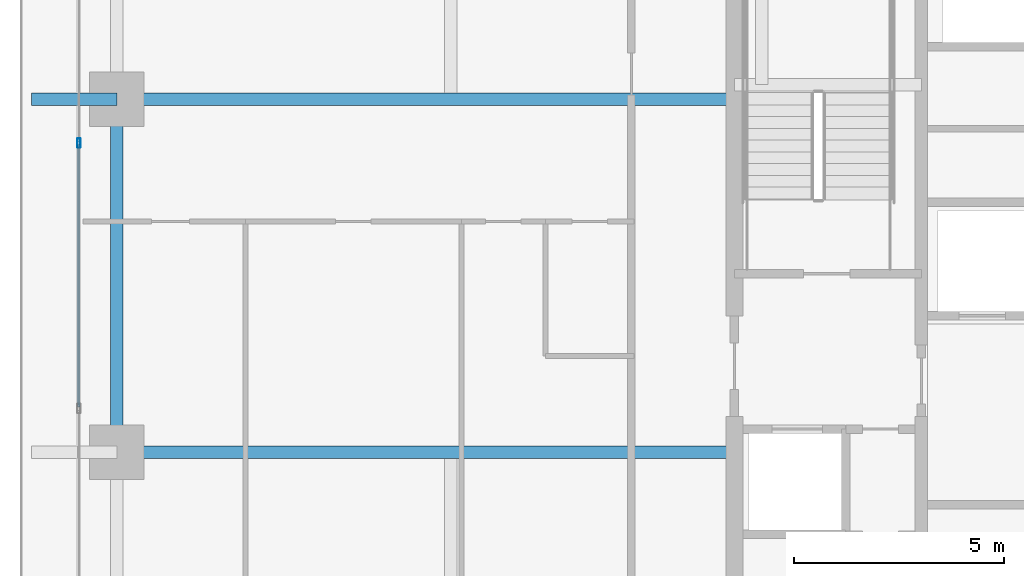
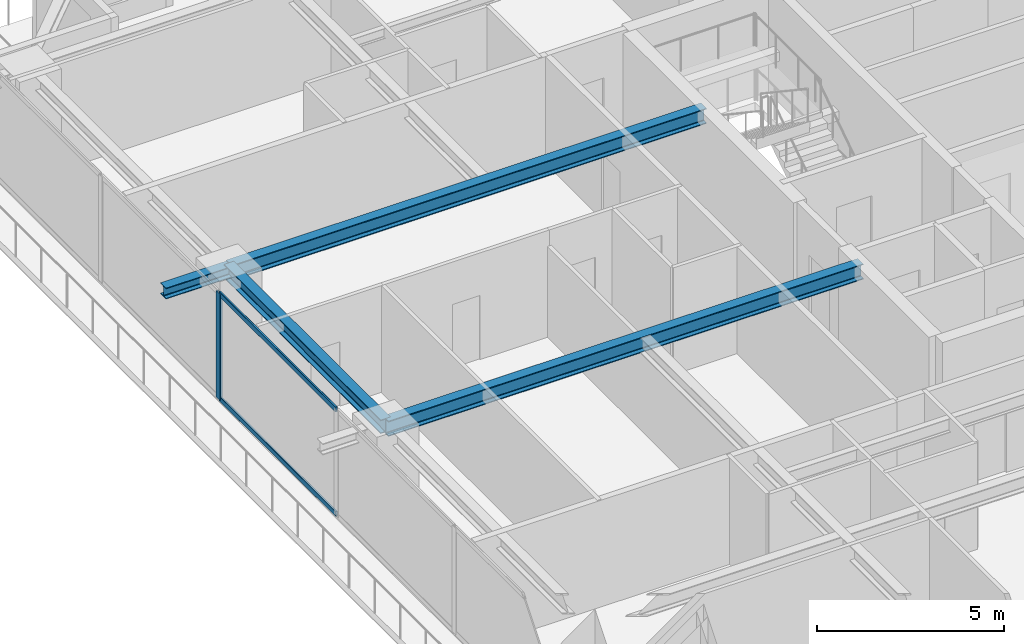
# One storey, part 8 of 35: 4 beams, 3 members, 1 element without a shape of its own.
"""IFC4 building model written with IfcOpenShell, lengths in metres."""

from ifc_helpers import new_model, si_unit, direction, frame, origin, origin_2d, place, context, subcontext, project, spatial, hollow_rectangle, i_section, extrude, source, transform, mapped, material, layer, layer_set, material_profile, profile_set, type_object, element, aggregate, save


model = new_model("IFC4")

# Units and contexts
model_context = context("Model", 3, precision=1e-05, world=origin(), true_north=direction((0.0, 1.0)))
body_context = subcontext(model_context, "Body", "Model", "MODEL_VIEW")
ifc_project = project(units=[si_unit("LENGTHUNIT", "METRE"), si_unit("AREAUNIT", "SQUARE_METRE"), si_unit("VOLUMEUNIT", "CUBIC_METRE"), si_unit("PLANEANGLEUNIT", "RADIAN"), si_unit("MASSUNIT", "GRAM", prefix="KILO")], contexts=[model_context])

# Site, building, storey
site_placement = place(None, origin())
site = spatial("IfcSite", under=ifc_project, at=site_placement, CompositionType="ELEMENT")
building_placement = place(site_placement, origin())
building = spatial("IfcBuilding", under=site, at=building_placement, Name="Serunith Strait Residences", CompositionType="ELEMENT")
storey_placement = place(building_placement, frame((0.0, 0.0, 191.39990234375)))
storey = spatial("IfcBuildingStorey", under=building, at=storey_placement, Name="L48", CompositionType="ELEMENT", Elevation=191.39990234375)

# Beams
ifc_material_1 = material(Name="Steel S355J2", Category="steel")
ifc_material_profile_1 = material_profile(ifc_material_1, i_section(OverallWidth=0.300048828125, OverallDepth=0.449951171875, WebThickness=0.013916015625, FlangeThickness=0.02587890625, FilletRadius=0.027099609375, at=origin_2d()), Name="HEB 450")
ifc_profile_set_1 = profile_set([ifc_material_profile_1], Name="Steel S355J2")
beam_type_1 = type_object("IfcBeamType", Name="BM-HEB450", PredefinedType="BEAM", material=ifc_profile_set_1)
shared_shape_1 = source(origin(), body_context, "Body", "SweptSolid", [
    extrude(i_section(OverallWidth=0.300048828125, OverallDepth=0.449951171875, WebThickness=0.013916015625, FlangeThickness=0.02587890625, FilletRadius=0.027099609375, at=origin_2d()), origin(), (0.0, 0.0, 1.0), 8.39990234375),
])
beam_1_placement = place(storey_placement, frame((8.699951171875, 29.39990234375, 3.26220703125), z_axis=(0.0, -1.0, 0.0), x_axis=(1.0, 0.0, 0.0)))
element("IfcBeam", 1, at=beam_1_placement, inside=storey, type_object=beam_type_1, Name="L48 Perimeter Ring Beam 14", PredefinedType="BEAM", context=body_context, shape_type="MappedRepresentation", body=[
    mapped(shared_shape_1, transform((0.0, 0.0, 0.0), scale=1.0)),
])
ifc_material_profile_2 = material_profile(ifc_material_1, i_section(OverallWidth=0.300048828125, OverallDepth=0.5, WebThickness=0.014404296875, FlangeThickness=0.028076171875, FilletRadius=0.027099609375, at=origin_2d()), Name="HEB 500")
ifc_profile_set_2 = profile_set([ifc_material_profile_2], Name="Steel S355J2")
beam_type_2 = type_object("IfcBeamType", Name="BM-HEB500", PredefinedType="BEAM", material=ifc_profile_set_2)
shared_shape_2 = source(origin(), body_context, "Body", "SweptSolid", [
    extrude(i_section(OverallWidth=0.300048828125, OverallDepth=0.5, WebThickness=0.014404296875, FlangeThickness=0.028076171875, FilletRadius=0.027099609375, at=origin_2d()), origin(), (0.0, 0.0, 1.0), 14.699951171875),
])
for number, where, z_axis, x_axis, name in (
    (2, (23.39990234375, 21.0, 3.237060546875), (-1.0, 0.0, 0.0), (0.0, -1.0, 0.0), "L48 Primary Floor Girder TC-W2"),
    (3, (23.39990234375, 29.39990234375, 3.237060546875), (-1.0, 0.0, 0.0), (0.0, -1.0, 0.0), "L48 Primary Floor Girder TC-W3"),
):
    element("IfcBeam", number, at=place(storey_placement, frame(where, z_axis=z_axis, x_axis=x_axis)), inside=storey, type_object=beam_type_2, Name=name, PredefinedType="BEAM", context=body_context, shape_type="MappedRepresentation", body=[
        mapped(shared_shape_2, transform((0.0, 0.0, 0.0), scale=1.0)),
    ])
ifc_material_profile_3 = material_profile(ifc_material_1, i_section(OverallWidth=0.300048828125, OverallDepth=0.360107421875, WebThickness=0.012451171875, FlangeThickness=0.0224609375, FilletRadius=0.027099609375, at=origin_2d()), Name="HEB 360")
ifc_profile_set_3 = profile_set([ifc_material_profile_3], Name="Steel S355J2")
beam_type_3 = type_object("IfcBeamType", Name="BM-HEB360", PredefinedType="BEAM", material=ifc_profile_set_3)
shared_shape_3 = source(origin(), body_context, "Body", "SweptSolid", [
    extrude(i_section(OverallWidth=0.300048828125, OverallDepth=0.360107421875, WebThickness=0.012451171875, FlangeThickness=0.0224609375, FilletRadius=0.027099609375, at=origin_2d()), origin(), (0.0, 0.0, 1.0), 2.030029296875),
])
beam_2_placement = place(storey_placement, frame((8.699951171875, 29.39990234375, 3.277099609375), z_axis=(-1.0, 0.0, 0.0), x_axis=(0.0, -1.0, 0.0)))
element("IfcBeam", 4, at=beam_2_placement, inside=storey, type_object=beam_type_3, Name="L49 Cantilevered Balcony Rib TC-W3", PredefinedType="BEAM", context=body_context, shape_type="MappedRepresentation", body=[
    mapped(shared_shape_3, transform((0.0, 0.0, 0.0), scale=1.0)),
])

# Curtain wall, members
ifc_material_2 = material(Name="Pale-Silver PVDF Aluminium", Category="aluminium")
ifc_layer = layer(ifc_material_2, 0.199951171875, Name="Pale-Silver PVDF Aluminium")
ifc_layer_set = layer_set([ifc_layer], Name="Pale-Silver PVDF Aluminium")
curtain_wall_type = type_object("IfcCurtainWallType", Name="CW-SYS3", PredefinedType="NOTDEFINED", material=ifc_layer_set)
curtain_wall_placement = place(storey_placement, origin())
curtain_wall = element("IfcCurtainWall", 5, at=curtain_wall_placement, inside=storey, type_object=curtain_wall_type, Name="L48 W Unitised Fritted Curtain Wall", PredefinedType="NOTDEFINED")
ifc_material_profile_4 = material_profile(ifc_material_2, hollow_rectangle(XDim=0.074951171875, YDim=0.219970703125, WallThickness=0.00390625, InnerFilletRadius=0.006103515625, OuterFilletRadius=0.010009765625, at=origin_2d()), Name="ALU 220x75x4")
ifc_profile_set_4 = profile_set([ifc_material_profile_4], Name="Pale-Silver PVDF Aluminium")
member_type_1 = type_object("IfcMemberType", Name="CW-SYS3-MULL", PredefinedType="MULLION", material=ifc_profile_set_4)
shared_shape_4 = source(origin(), body_context, "Body", "SweptSolid", [
    extrude(hollow_rectangle(XDim=0.074951171875, YDim=0.219970703125, WallThickness=0.00390625, InnerFilletRadius=0.006103515625, OuterFilletRadius=0.010009765625, at=origin_2d()), origin(), (0.0, 0.0, 1.0), 3.47509765625),
])
member_1_placement = place(storey_placement, frame((7.800048828125, 28.360107421875, 0.0), z_axis=(0.0, 0.0, 1.0), x_axis=(1.0, 0.0, 0.0)))
member_1 = element("IfcMember", 6, at=member_1_placement, type_object=member_type_1, Name="CW-3 mullion 3", PredefinedType="MULLION", context=body_context, shape_type="MappedRepresentation", body=[
    mapped(shared_shape_4, transform((0.0, 0.0, 0.0), scale=1.0)),
])
ifc_material_profile_5 = material_profile(ifc_material_2, hollow_rectangle(XDim=0.06005859375, YDim=0.159912109375, WallThickness=0.00341796875, InnerFilletRadius=0.00537109375, OuterFilletRadius=0.0087890625, at=origin_2d()), Name="ALU 160x60x3.5")
ifc_profile_set_5 = profile_set([ifc_material_profile_5], Name="Pale-Silver PVDF Aluminium")
member_type_2 = type_object("IfcMemberType", Name="CW-SYS3-TRAN", PredefinedType="USERDEFINED", material=ifc_profile_set_5)
shared_shape_5 = source(origin(), body_context, "Body", "SweptSolid", [
    extrude(hollow_rectangle(XDim=0.06005859375, YDim=0.159912109375, WallThickness=0.00341796875, InnerFilletRadius=0.00537109375, OuterFilletRadius=0.0087890625, at=origin_2d()), origin(), (0.0, 0.0, 1.0), 6.2451171875),
])
member_2_placement = place(storey_placement, frame((7.800048828125, 28.322509765625, 0.030029296875), z_axis=(0.0, -1.0, 0.0), x_axis=(1.0, 0.0, 0.0)))
member_2 = element("IfcMember", 7, at=member_2_placement, type_object=member_type_2, Name="CW-3 transom 3.1", ObjectType="TRANSOM", PredefinedType="USERDEFINED", context=body_context, shape_type="MappedRepresentation", body=[
    mapped(shared_shape_5, transform((0.0, 0.0, 0.0), scale=1.0)),
])
member_3_placement = place(storey_placement, frame((7.800048828125, 28.322509765625, 3.445068359375), z_axis=(0.0, -1.0, 0.0), x_axis=(1.0, 0.0, 0.0)))
member_3 = element("IfcMember", 8, at=member_3_placement, type_object=member_type_2, Name="CW-3 transom 3.2", ObjectType="TRANSOM", PredefinedType="USERDEFINED", context=body_context, shape_type="MappedRepresentation", body=[
    mapped(shared_shape_5, transform((0.0, 0.0, 0.0), scale=1.0)),
])
aggregate(curtain_wall, [member_1, member_2, member_3])

save(model, "model.ifc")
